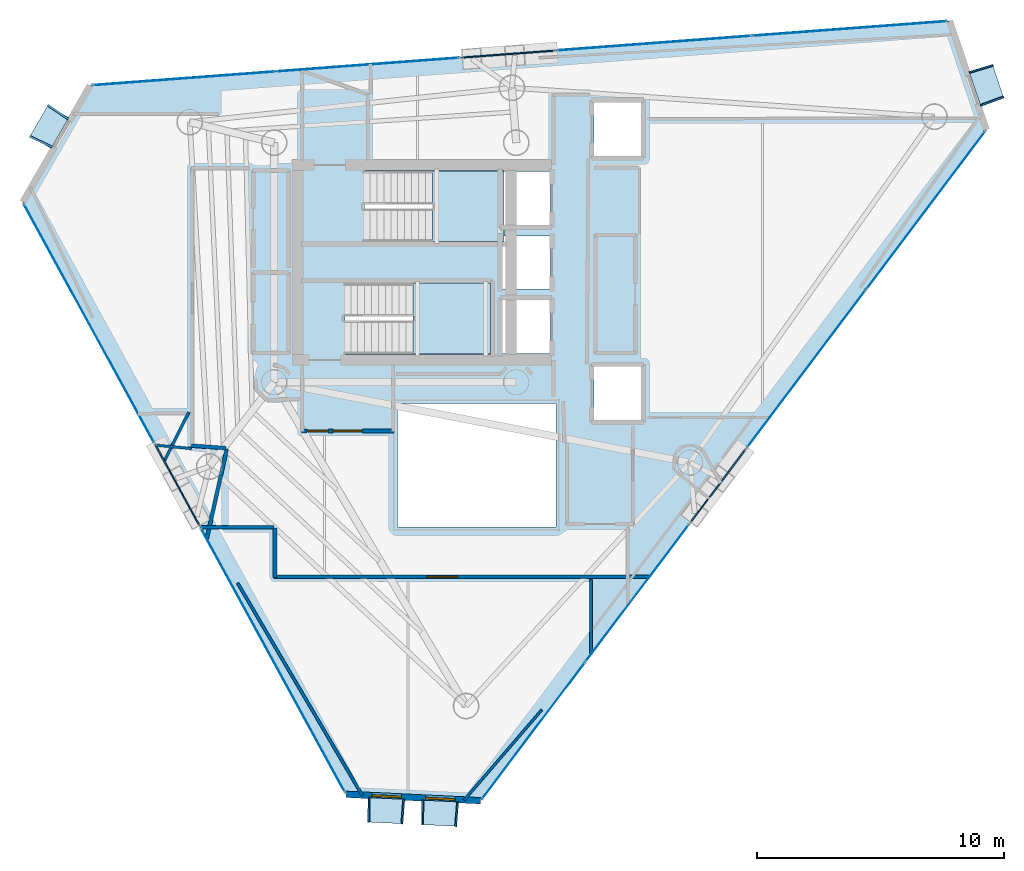
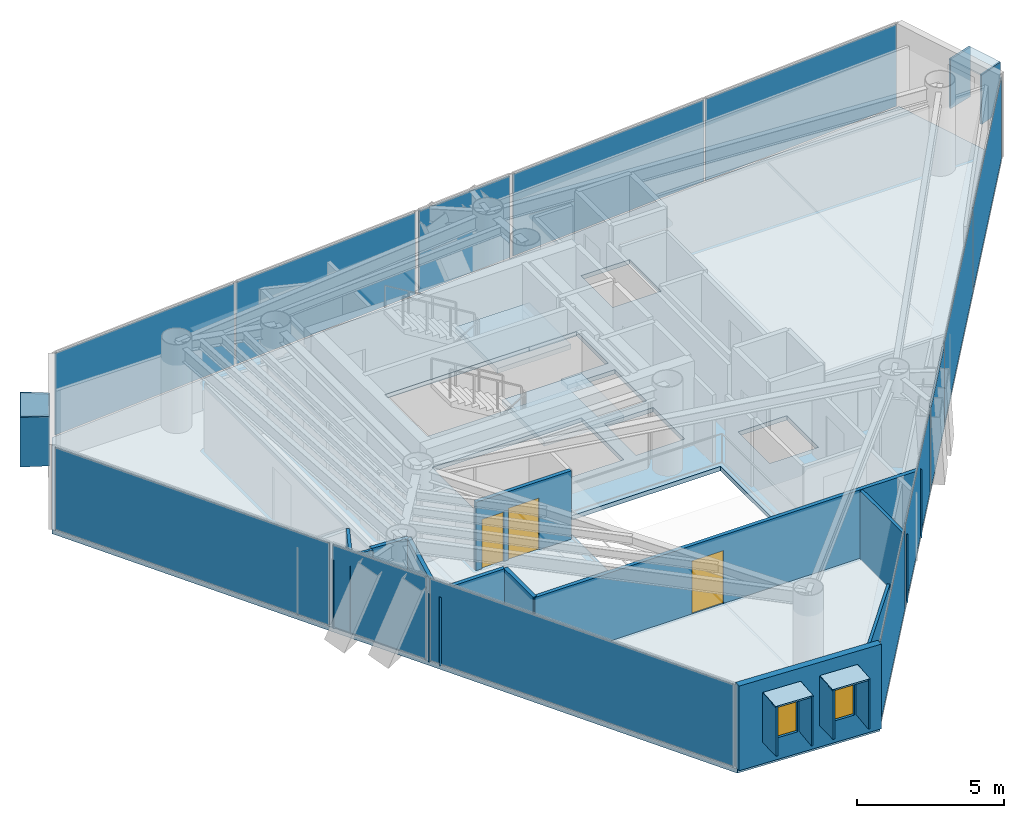
# One storey, part 13 of 19: 25 plates, 12 walls, 3 doors, 3 slabs, 2 windows, 5 openings, 11 elements without a shape of their own.
"""IFC4 building model written with IfcOpenShell, lengths in metres."""

from ifc_helpers import new_model, si_unit, direction, frame, frame_2d, origin, origin_2d, place, context, subcontext, project, spatial, polyline, rectangle, outline, extrude, material, layer, layer_set, type_object, element, fill, aggregate, save


model = new_model("IFC4")

# Units and contexts
model_context = context("Model", 3, precision=1e-05, world=origin(), true_north=direction((0.0, 1.0)))
body_context = subcontext(model_context, "Body", "Model", "MODEL_VIEW")
ifc_project = project(units=[si_unit("LENGTHUNIT", "METRE"), si_unit("AREAUNIT", "SQUARE_METRE"), si_unit("VOLUMEUNIT", "CUBIC_METRE"), si_unit("PLANEANGLEUNIT", "RADIAN"), si_unit("MASSUNIT", "GRAM", prefix="KILO")], contexts=[model_context])

# Site, building, storey
site_placement = place(None, origin())
site = spatial("IfcSite", under=ifc_project, at=site_placement, CompositionType="ELEMENT")
building_placement = place(site_placement, origin())
building = spatial("IfcBuilding", under=site, at=building_placement, Name="Qianvela Tower", CompositionType="ELEMENT")
storey_placement = place(building_placement, frame((0.0, 0.0, 268.60009765625)))
storey = spatial("IfcBuildingStorey", under=building, at=storey_placement, Name="L69", CompositionType="ELEMENT", Elevation=268.60009765625)

# Curtain wall, plate
ifc_material_1 = material(Name="Anodised Architectural Aluminium and Insulated Spandrel Panel", Category="aluminium")
ifc_layer_1 = layer(ifc_material_1, 0.179931640625)
ifc_layer_set_1 = layer_set([ifc_layer_1], Name="Anodised Architectural Aluminium and Insulated Spandrel Panel")
curtain_wall_type_1 = type_object("IfcCurtainWallType", Name="CW-BRACEBAY", PredefinedType="USERDEFINED", material=ifc_layer_set_1)
curtain_wall_1_placement = place(storey_placement, origin())
curtain_wall_1 = element("IfcCurtainWall", 1, at=curtain_wall_1_placement, inside=storey, type_object=curtain_wall_type_1, Name="L69 CW-BRACEBAY Curtain Wall 02B", ObjectType="CURTAIN_WALL_SYSTEM", PredefinedType="USERDEFINED")
ifc_material_2 = material(Name="Insulated Aluminium Spandrel Panel with Mineral-Wool Backpan", Category="aluminium")
ifc_layer_2 = layer(ifc_material_2, 0.06005859375)
ifc_layer_set_2 = layer_set([ifc_layer_2], Name="Insulated Aluminium Spandrel Panel with Mineral-Wool Backpan")
plate_type_1 = type_object("IfcPlateType", Name="CW-BRACEBAY-PNL", PredefinedType="CURTAIN_PANEL", material=ifc_layer_set_2)
plate_1_placement = place(storey_placement, frame((38.07080078125, 37.135498046875, 0.06494140625), z_axis=(0.0, 0.0, 1.0), x_axis=(-0.997200895477, -0.074768804061, 0.0)))
plate_1 = element("IfcPlate", 2, at=plate_1_placement, type_object=plate_type_1, Name="CW-9 panel 1.1", PredefinedType="CURTAIN_PANEL", context=body_context, shape_type="SweptSolid", body=[
    extrude(rectangle(XDim=3.75, YDim=0.06005859375, at=origin_2d()), origin(), (0.0, 0.0, 1.0), 3.389892578125),
])
aggregate(curtain_wall_1, [plate_1])

curtain_wall_2_placement = place(storey_placement, origin())
curtain_wall_2 = element("IfcCurtainWall", 3, at=curtain_wall_2_placement, inside=storey, type_object=curtain_wall_type_1, Name="L69 CW-BRACEBAY Curtain Wall 04B", ObjectType="CURTAIN_WALL_SYSTEM", PredefinedType="USERDEFINED")
plate_2_placement = place(storey_placement, frame((24.683349609375, 19.678955078125, 0.06494140625), z_axis=(0.0, 0.0, 1.0), x_axis=(0.479302865469, -0.877649567398, 0.0)))
plate_2 = element("IfcPlate", 4, at=plate_2_placement, type_object=plate_type_1, Name="CW-9 panel 1.1", PredefinedType="CURTAIN_PANEL", context=body_context, shape_type="SweptSolid", body=[
    extrude(rectangle(XDim=3.739990234375, YDim=0.06005859375, at=origin_2d()), origin(), (0.0, 0.0, 1.0), 3.389892578125),
])
aggregate(curtain_wall_2, [plate_2])

curtain_wall_3_placement = place(storey_placement, origin())
curtain_wall_3 = element("IfcCurtainWall", 5, at=curtain_wall_3_placement, inside=storey, type_object=curtain_wall_type_1, Name="L69 CW-BRACEBAY Curtain Wall 06B", ObjectType="CURTAIN_WALL_SYSTEM", PredefinedType="USERDEFINED")
plate_3_placement = place(storey_placement, frame((46.56982421875, 19.6552734375, 0.06494140625), z_axis=(0.0, 0.0, 1.0), x_axis=(0.6019074344, 0.798565864794, 0.0)))
plate_3 = element("IfcPlate", 6, at=plate_3_placement, type_object=plate_type_1, Name="CW-9 panel 1.1", PredefinedType="CURTAIN_PANEL", context=body_context, shape_type="SweptSolid", body=[
    extrude(rectangle(XDim=3.699951171875, YDim=0.06005859375, at=origin_2d()), origin(), (0.0, 0.0, 1.0), 3.389892578125),
])
aggregate(curtain_wall_3, [plate_3])

# Curtain wall, plates
ifc_material_3 = material(Name="Anodised Architectural Aluminium and Low-E Glass", Category="aluminium")
ifc_layer_3 = layer(ifc_material_3, 0.159912109375)
ifc_layer_set_3 = layer_set([ifc_layer_3], Name="Anodised Architectural Aluminium and Low-E Glass")
curtain_wall_type_2 = type_object("IfcCurtainWallType", Name="CW-COLIV-Z56", PredefinedType="USERDEFINED", material=ifc_layer_set_3)
curtain_wall_4_placement = place(storey_placement, origin())
curtain_wall_4 = element("IfcCurtainWall", 7, at=curtain_wall_4_placement, inside=storey, type_object=curtain_wall_type_2, Name="L69 CW-COLIV-Z56 Curtain Wall 02A", ObjectType="CURTAIN_WALL_SYSTEM", PredefinedType="USERDEFINED")
ifc_material_4 = material(Name="Double-Silver Low-E Insulated Glass", Category="glass")
ifc_layer_4 = layer(ifc_material_4, 0.028076171875)
ifc_layer_set_4 = layer_set([ifc_layer_4], Name="Double-Silver Low-E Insulated Glass")
plate_type_2 = type_object("IfcPlateType", Name="CW-COLIV-Z56-PNL", PredefinedType="CURTAIN_PANEL", material=ifc_layer_set_4)
plate_4_placement = place(storey_placement, frame((51.91064453125, 38.173095703125, 0.06005859375), z_axis=(0.0, 0.0, 1.0), x_axis=(-0.997201906035, -0.074755324891, 0.0)))
plate_4 = element("IfcPlate", 8, at=plate_4_placement, type_object=plate_type_2, Name="CW-5 panel 1.1", PredefinedType="CURTAIN_PANEL", context=body_context, shape_type="SweptSolid", body=[
    extrude(rectangle(XDim=7.87255859375, YDim=0.028076171875, at=origin_2d()), origin(), (0.0, 0.0, 1.0), 3.39990234375),
])
plate_5_placement = place(storey_placement, frame((43.995361328125, 37.579833984375, 0.06005859375), z_axis=(0.0, 0.0, 1.0), x_axis=(-0.997201906035, -0.074755324891, 0.0)))
plate_5 = element("IfcPlate", 9, at=plate_5_placement, type_object=plate_type_2, Name="CW-5 panel 2.1", PredefinedType="CURTAIN_PANEL", context=body_context, shape_type="SweptSolid", body=[
    extrude(rectangle(XDim=7.87255859375, YDim=0.028076171875, at=origin_2d()), origin(), (0.0, 0.0, 1.0), 3.39990234375),
])
aggregate(curtain_wall_4, [plate_4, plate_5])

curtain_wall_5_placement = place(storey_placement, origin())
curtain_wall_5 = element("IfcCurtainWall", 10, at=curtain_wall_5_placement, inside=storey, type_object=curtain_wall_type_2, Name="L69 CW-COLIV-Z56 Curtain Wall 02C", ObjectType="CURTAIN_WALL_SYSTEM", PredefinedType="USERDEFINED")
plate_6_placement = place(storey_placement, frame((32.384521484375, 36.709228515625, 0.06005859375), z_axis=(0.0, 0.0, 1.0), x_axis=(-0.997202046772, -0.074753447507, 0.0)))
plate_6 = element("IfcPlate", 11, at=plate_6_placement, type_object=plate_type_2, Name="CW-5 panel 1.1", PredefinedType="CURTAIN_PANEL", context=body_context, shape_type="SweptSolid", body=[
    extrude(rectangle(XDim=7.39453125, YDim=0.028076171875, at=origin_2d()), origin(), (0.0, 0.0, 1.0), 3.39990234375),
])
plate_7_placement = place(storey_placement, frame((24.94580078125, 36.151611328125, 0.06005859375), z_axis=(0.0, 0.0, 1.0), x_axis=(-0.997202046772, -0.074753447507, 0.0)))
plate_7 = element("IfcPlate", 12, at=plate_7_placement, type_object=plate_type_2, Name="CW-5 panel 2.1", PredefinedType="CURTAIN_PANEL", context=body_context, shape_type="SweptSolid", body=[
    extrude(rectangle(XDim=7.39453125, YDim=0.028076171875, at=origin_2d()), origin(), (0.0, 0.0, 1.0), 3.39990234375),
])
aggregate(curtain_wall_5, [plate_6, plate_7])

# Curtain wall, plate
curtain_wall_6_placement = place(storey_placement, origin())
curtain_wall_6 = element("IfcCurtainWall", 13, at=curtain_wall_6_placement, inside=storey, type_object=curtain_wall_type_2, Name="L69 CW-COLIV-Z56 Curtain Wall 04A", ObjectType="CURTAIN_WALL_SYSTEM", PredefinedType="USERDEFINED")
plate_8_placement = place(storey_placement, frame((21.1005859375, 26.2392578125, 0.06005859375), z_axis=(0.0, 0.0, 1.0), x_axis=(0.479306723241, -0.877647460577, 0.0)))
plate_8 = element("IfcPlate", 14, at=plate_8_placement, type_object=plate_type_2, Name="CW-5 panel 1.1", PredefinedType="CURTAIN_PANEL", context=body_context, shape_type="SweptSolid", body=[
    extrude(rectangle(XDim=10.949951171875, YDim=0.028076171875, at=origin_2d()), origin(), (0.0, 0.0, 1.0), 3.39990234375),
])
aggregate(curtain_wall_6, [plate_8])

curtain_wall_7_placement = place(storey_placement, origin())
curtain_wall_7 = element("IfcCurtainWall", 15, at=curtain_wall_7_placement, inside=storey, type_object=curtain_wall_type_2, Name="L69 CW-COLIV-Z56 Curtain Wall 04C", ObjectType="CURTAIN_WALL_SYSTEM", PredefinedType="USERDEFINED")
plate_9_placement = place(storey_placement, frame((28.551513671875, 12.595947265625, 0.06005859375), z_axis=(0.0, 0.0, 1.0), x_axis=(0.479303143427, -0.877649415599, 0.0)))
plate_9 = element("IfcPlate", 16, at=plate_9_placement, type_object=plate_type_2, Name="CW-5 panel 1.1", PredefinedType="CURTAIN_PANEL", context=body_context, shape_type="SweptSolid", body=[
    extrude(rectangle(XDim=12.140625, YDim=0.028076171875, at=origin_2d()), origin(), (0.0, 0.0, 1.0), 3.39990234375),
])
aggregate(curtain_wall_7, [plate_9])

# Curtain wall, plates
curtain_wall_8_placement = place(storey_placement, origin())
curtain_wall_8 = element("IfcCurtainWall", 17, at=curtain_wall_8_placement, inside=storey, type_object=curtain_wall_type_2, Name="L69 CW-COLIV-Z56 Curtain Wall 06A", ObjectType="CURTAIN_WALL_SYSTEM", PredefinedType="USERDEFINED")
plate_10_placement = place(storey_placement, frame((39.10693359375, 9.754150390625, 0.06005859375), z_axis=(0.0, 0.0, 1.0), x_axis=(0.601912562506, 0.798561999533, 0.0)))
plate_10 = element("IfcPlate", 18, at=plate_10_placement, type_object=plate_type_2, Name="CW-5 panel 1.1", PredefinedType="CURTAIN_PANEL", context=body_context, shape_type="SweptSolid", body=[
    extrude(rectangle(XDim=6.902587890625, YDim=0.028076171875, at=origin_2d()), origin(), (0.0, 0.0, 1.0), 3.39990234375),
])
plate_11_placement = place(storey_placement, frame((43.30078125, 15.318115234375, 0.06005859375), z_axis=(0.0, 0.0, 1.0), x_axis=(0.601912562506, 0.798561999533, 0.0)))
plate_11 = element("IfcPlate", 19, at=plate_11_placement, type_object=plate_type_2, Name="CW-5 panel 2.1", PredefinedType="CURTAIN_PANEL", context=body_context, shape_type="SweptSolid", body=[
    extrude(rectangle(XDim=6.902587890625, YDim=0.028076171875, at=origin_2d()), origin(), (0.0, 0.0, 1.0), 3.39990234375),
])
aggregate(curtain_wall_8, [plate_10, plate_11])

curtain_wall_9_placement = place(storey_placement, origin())
curtain_wall_9 = element("IfcCurtainWall", 20, at=curtain_wall_9_placement, inside=storey, type_object=curtain_wall_type_2, Name="L69 CW-COLIV-Z56 Curtain Wall 06C", ObjectType="CURTAIN_WALL_SYSTEM", PredefinedType="USERDEFINED")
plate_12_placement = place(storey_placement, frame((50.15283203125, 24.408935546875, 0.06005859375), z_axis=(0.0, 0.0, 1.0), x_axis=(0.601911031996, 0.798563153146, 0.0)))
plate_12 = element("IfcPlate", 21, at=plate_12_placement, type_object=plate_type_2, Name="CW-5 panel 1.1", PredefinedType="CURTAIN_PANEL", context=body_context, shape_type="SweptSolid", body=[
    extrude(rectangle(XDim=7.9453125, YDim=0.028076171875, at=origin_2d()), origin(), (0.0, 0.0, 1.0), 3.39990234375),
])
plate_13_placement = place(storey_placement, frame((54.974365234375, 30.8056640625, 0.06005859375), z_axis=(0.0, 0.0, 1.0), x_axis=(0.601911031996, 0.798563153146, 0.0)))
plate_13 = element("IfcPlate", 22, at=plate_13_placement, type_object=plate_type_2, Name="CW-5 panel 2.1", PredefinedType="CURTAIN_PANEL", context=body_context, shape_type="SweptSolid", body=[
    extrude(rectangle(XDim=7.9453125, YDim=0.028076171875, at=origin_2d()), origin(), (0.0, 0.0, 1.0), 3.39990234375),
])
aggregate(curtain_wall_9, [plate_12, plate_13])

# Slab
ifc_material_5 = material(Name="Concrete C40", Category="concrete")
ifc_layer_5 = layer(ifc_material_5, 0.179931640625)
ifc_layer_set_5 = layer_set([ifc_layer_5], Name="Concrete C40")
slab_type_1 = type_object("IfcSlabType", Name="SL-FLOOR-180", PredefinedType="FLOOR", material=ifc_layer_set_5)
slab_1_placement = place(storey_placement, frame((0.0, 0.0, -0.18017578125)))
element("IfcSlab", 23, at=slab_1_placement, inside=storey, type_object=slab_type_1, Name="L69 Composite Structural Floor Slab", PredefinedType="FLOOR", context=body_context, shape_type="SweptSolid", body=[
    extrude(outline(polyline([(57.434814453125, 34.070068359375), (55.95068359375, 38.475830078125), (21.144287109375, 35.86669921875), (18.42138671875, 31.1455078125), (31.516357421875, 7.16748046875), (36.960205078125, 6.90625), (57.434814453125, 34.070068359375)]), holes=[polyline([(40.0, 23.0), (33.60009765625, 23.0), (33.60009765625, 18.0), (40.0, 18.0), (40.0, 23.0)]), polyline([(43.4599609375, 24.47998046875), (41.5400390625, 24.47998046875), (41.5400390625, 22.320068359375), (43.4599609375, 22.320068359375), (43.4599609375, 24.47998046875)]), polyline([(39.760009765625, 27.179931640625), (37.840087890625, 27.179931640625), (37.840087890625, 25.02001953125), (39.760009765625, 25.02001953125), (39.760009765625, 27.179931640625)]), polyline([(37.35009765625, 27.860107421875), (31.469970703125, 27.860107421875), (31.469970703125, 25.0), (37.35009765625, 25.0), (37.35009765625, 27.860107421875)]), polyline([(39.760009765625, 27.6201171875), (39.760009765625, 29.780029296875), (37.89990234375, 29.780029296875), (37.89990234375, 30.219970703125), (39.760009765625, 30.219970703125), (39.760009765625, 32.3798828125), (37.89990234375, 32.3798828125), (37.89990234375, 32.39990234375), (32.25, 32.39990234375), (32.25, 29.5400390625), (37.840087890625, 29.5400390625), (37.840087890625, 27.6201171875), (39.760009765625, 27.6201171875)]), polyline([(43.4599609375, 35.179931640625), (41.5400390625, 35.179931640625), (41.5400390625, 33.02001953125), (43.4599609375, 33.02001953125), (43.4599609375, 35.179931640625)])]), origin(), (0.0, 0.0, 1.0), 0.18017578125),
])

# Stair, slab
ifc_material_6 = material(Name="Concrete C40", Category="concrete")
stair_type = type_object("IfcStairType", Name="ST-DOGLEG-1350-R168-N22", PredefinedType="HALF_TURN_STAIR", material=ifc_material_6)
stair_1_placement = place(storey_placement, origin())
stair_1 = element("IfcStair", 24, at=stair_1_placement, inside=storey, type_object=stair_type, Name="L69 Smoke-Proof Core Stair ST-1", PredefinedType="HALF_TURN_STAIR")
ifc_material_7 = material(Name="Concrete C40", Category="concrete")
ifc_layer_6 = layer(ifc_material_7, 0.199951171875)
ifc_layer_set_6 = layer_set([ifc_layer_6], Name="Concrete C40")
slab_type_2 = type_object("IfcSlabType", Name="SL-STAIR-LANDING-200", PredefinedType="LANDING", material=ifc_layer_set_6)
slab_2_placement = place(storey_placement, frame((0.0, 0.0, 1.64990234375)))
slab_2 = element("IfcSlab", 25, at=slab_2_placement, type_object=slab_type_2, Name="ST-1 landing 1", PredefinedType="LANDING", context=body_context, shape_type="SweptSolid", body=[
    extrude(outline(polyline([(35.0, 29.5400390625), (37.89990234375, 29.5400390625), (37.89990234375, 32.39990234375), (35.0, 32.39990234375), (35.0, 29.5400390625)])), origin(), (0.0, 0.0, 1.0), 0.199951171875),
])
aggregate(stair_1, [slab_2])

stair_2_placement = place(storey_placement, origin())
stair_2 = element("IfcStair", 26, at=stair_2_placement, inside=storey, type_object=stair_type, Name="L69 Smoke-Proof Core Stair ST-2", PredefinedType="HALF_TURN_STAIR")
slab_3_placement = place(storey_placement, frame((0.0, 0.0, 1.64990234375)))
slab_3 = element("IfcSlab", 27, at=slab_3_placement, type_object=slab_type_2, Name="ST-2 landing 1", PredefinedType="LANDING", context=body_context, shape_type="SweptSolid", body=[
    extrude(outline(polyline([(34.219970703125, 25.0), (37.35009765625, 25.0), (37.35009765625, 27.860107421875), (34.219970703125, 27.860107421875), (34.219970703125, 25.0)])), origin(), (0.0, 0.0, 1.0), 0.199951171875),
])
aggregate(stair_2, [slab_3])

# Plates
ifc_material_8 = material(Name="Vitrified Architectural Terracotta Panel", Category="masonry")
ifc_layer_7 = layer(ifc_material_8, 0.06494140625)
ifc_layer_set_7 = layer_set([ifc_layer_7], Name="Vitrified Architectural Terracotta Panel")
plate_type_3 = type_object("IfcPlateType", Name="TERRACOTTA-SUNSHADE-HOOD-FOLD-B", PredefinedType="USERDEFINED", material=ifc_layer_set_7)
for number, where, z_axis, x_axis, name in (
    (28, (57.44189453125, 35.8818359375, 2.909912109375), (0.0, 0.0, 1.0), (-0.319238849799, 0.947674288339, 0.0), "L69 Terracotta Sunshade Hood FOLD-B"),
    (29, (33.12158203125, 6.504638671875, 2.909912109375), (0.0, 0.0, 1.0), (0.99885181717, -0.047906652307, 0.0), "L69 Terracotta Sunshade Hood FOLD-B"),
    (30, (35.299072265625, 6.400390625, 2.909912109375), (0.0, 0.0, 1.0), (0.99885181717, -0.047906652307, 0.0), "L69 Terracotta Sunshade Hood FOLD-B"),
):
    element("IfcPlate", number, at=place(storey_placement, frame(where, z_axis=z_axis, x_axis=x_axis)), inside=storey, type_object=plate_type_3, Name=name, ObjectType="SUNSHADE", PredefinedType="USERDEFINED", context=body_context, shape_type="SweptSolid", body=[
        extrude(rectangle(XDim=1.43994140625, YDim=0.989990234375, at=origin_2d()), origin(), (0.0, 0.0, 1.0), 0.06005859375),
    ])
ifc_material_9 = material(Name="Vitrified Architectural Terracotta Panel", Category="masonry")
ifc_layer_8 = layer(ifc_material_9, 0.074951171875)
ifc_layer_set_8 = layer_set([ifc_layer_8], Name="Vitrified Architectural Terracotta Panel")
plate_type_4 = type_object("IfcPlateType", Name="TERRACOTTA-SUNSHADE-HOOD-FOLD-D", PredefinedType="USERDEFINED", material=ifc_layer_set_8)
plate_14_placement = place(storey_placement, frame((19.5009765625, 34.188232421875, 2.909912109375), z_axis=(0.0, 0.0, 1.0), x_axis=(-0.499608470565, -0.866251335433, 0.0)))
element("IfcPlate", 31, at=plate_14_placement, inside=storey, type_object=plate_type_4, Name="L69 Terracotta Sunshade Hood FOLD-D", ObjectType="SUNSHADE", PredefinedType="USERDEFINED", context=body_context, shape_type="SweptSolid", body=[
    extrude(rectangle(XDim=1.43994140625, YDim=0.989990234375, at=origin_2d()), origin(), (0.0, 0.0, 1.0), 0.06005859375),
])
ifc_material_10 = material(Name="Vitrified Architectural Terracotta Side Fin Panel", Category="masonry")
ifc_layer_9 = layer(ifc_material_10, 0.070068359375)
ifc_layer_set_9 = layer_set([ifc_layer_9], Name="Vitrified Architectural Terracotta Side Fin Panel")
plate_type_5 = type_object("IfcPlateType", Name="TERRACOTTA-SUNSHADE-STRUT-FOLD-B", PredefinedType="USERDEFINED", material=ifc_layer_set_9)
for number, where, z_axis, x_axis, name in (
    (32, (57.662109375, 35.227783203125, 0.89990234375), (0.0, 0.0, 1.0), (-0.348030517647, 0.937483204535, 0.0), "L69 Terracotta Sunshade Side Fin HL FOLD-B"),
    (33, (57.221435546875, 36.53564453125, 0.89990234375), (0.0, 0.0, 1.0), (-0.290149390101, 0.956981364199, 0.0), "L69 Terracotta Sunshade Side Fin HR FOLD-B"),
    (34, (32.432373046875, 6.537841796875, 0.89990234375), (0.0, 0.0, 1.0), (0.999848941464, -0.017380858792, 0.0), "L69 Terracotta Sunshade Side Fin HL FOLD-B"),
    (35, (33.810791015625, 6.4716796875, 0.89990234375), (0.0, 0.0, 1.0), (0.996922945596, -0.078387757619, 0.0), "L69 Terracotta Sunshade Side Fin HR FOLD-B"),
    (36, (34.60986328125, 6.433349609375, 0.89990234375), (0.0, 0.0, 1.0), (0.999848941464, -0.017380858792, 0.0), "L69 Terracotta Sunshade Side Fin HL FOLD-B"),
    (37, (35.98828125, 6.3671875, 0.89990234375), (0.0, 0.0, 1.0), (0.996922945596, -0.078387757619, 0.0), "L69 Terracotta Sunshade Side Fin HR FOLD-B"),
):
    element("IfcPlate", number, at=place(storey_placement, frame(where, z_axis=z_axis, x_axis=x_axis)), inside=storey, type_object=plate_type_5, Name=name, ObjectType="SUNSHADE", PredefinedType="USERDEFINED", context=body_context, shape_type="SweptSolid", body=[
        extrude(rectangle(XDim=0.070068359375, YDim=1.010009765625, at=origin_2d()), origin(), (0.0, 0.0, 1.0), 2.06005859375),
    ])
ifc_material_11 = material(Name="Vitrified Architectural Terracotta Side Fin Panel", Category="masonry")
ifc_layer_10 = layer(ifc_material_11, 0.080078125)
ifc_layer_set_10 = layer_set([ifc_layer_10], Name="Vitrified Architectural Terracotta Side Fin Panel")
plate_type_6 = type_object("IfcPlateType", Name="TERRACOTTA-SUNSHADE-STRUT-FOLD-D", PredefinedType="USERDEFINED", material=ifc_layer_set_10)
for number, where, z_axis, x_axis, name in (
    (38, (19.845703125, 34.785888671875, 0.89990234375), (0.0, 0.0, 1.0), (-0.562431218347, -0.826844075161, 0.0), "L69 Terracotta Sunshade Side Fin HL FOLD-D"),
    (39, (19.15625, 33.590576171875, 0.89990234375), (0.0, 0.0, 1.0), (-0.43403806115, -0.900894534046, 0.0), "L69 Terracotta Sunshade Side Fin HR FOLD-D"),
):
    element("IfcPlate", number, at=place(storey_placement, frame(where, z_axis=z_axis, x_axis=x_axis)), inside=storey, type_object=plate_type_6, Name=name, ObjectType="SUNSHADE", PredefinedType="USERDEFINED", context=body_context, shape_type="SweptSolid", body=[
        extrude(rectangle(XDim=0.080078125, YDim=1.010009765625, at=origin_2d()), origin(), (0.0, 0.0, 1.0), 2.06005859375),
    ])

# Wall, openings, windows
ifc_material_12 = material(Name="Terracotta Cladding on Concrete C40", Category="masonry")
ifc_layer_11 = layer(ifc_material_12, 0.260009765625)
ifc_layer_set_11 = layer_set([ifc_layer_11], Name="Terracotta Cladding on Concrete C40")
wall_type_1 = type_object("IfcWallType", Name="TERRACOTTA-WALL-260", PredefinedType="SOLIDWALL", material=ifc_layer_set_11)
wall_1_placement = place(storey_placement, frame((31.516357421875, 7.16748046875, 0.0), z_axis=(0.0, 0.0, 1.0), x_axis=(0.998850638903, -0.047931212827, 0.0)))
wall_1 = element("IfcWall", 40, at=wall_1_placement, inside=storey, type_object=wall_type_1, Name="L69 Terracotta Chamfer Facet Wall 5", PredefinedType="SOLIDWALL", context=body_context, shape_type="SweptSolid", body=[
    extrude(rectangle(XDim=5.4501953125, YDim=0.260009765625, at=frame_2d((2.72509765625, 0.0))), origin(), (0.0, 0.0, 1.0), 3.52001953125),
])
opening_1_placement = place(wall_1_placement, frame((1.03515625, 0.0, 0.89990234375)))
opening_1 = element("IfcOpeningElement", 41, at=opening_1_placement, cuts=wall_1, Name="Opening W-03", PredefinedType="OPENING", context=body_context, shape_type="SweptSolid", body=[
    extrude(rectangle(XDim=1.199951171875, YDim=2.0, at=frame_2d((0.60009765625, 1.0))), frame((0.0, 0.139892578125, 0.0), z_axis=(0.0, -1.0, 0.0), x_axis=(1.0, 0.0, 0.0)), (0.0, 0.0, 1.0), 0.280029296875),
])
opening_2_placement = place(wall_1_placement, frame((3.215087890625, 0.0, 0.89990234375)))
opening_2 = element("IfcOpeningElement", 42, at=opening_2_placement, cuts=wall_1, Name="Opening W-03", PredefinedType="OPENING", context=body_context, shape_type="SweptSolid", body=[
    extrude(rectangle(XDim=1.199951171875, YDim=2.0, at=frame_2d((0.60009765625, 1.0))), frame((0.0, 0.139892578125, 0.0), z_axis=(0.0, -1.0, 0.0), x_axis=(1.0, 0.0, 0.0)), (0.0, 0.0, 1.0), 0.280029296875),
])
ifc_material_13 = material(Name="Thermally Broken Aluminium and Low-E Glass", Category="aluminium")
window_type = type_object("IfcWindowType", Name="WIN-TC-1200x2000", PartitioningType="SINGLE_PANEL", PredefinedType="WINDOW", material=ifc_material_13)
window_1_placement = place(opening_1_placement, origin())
window_1 = element("IfcWindow", 43, at=window_1_placement, inside=storey, type_object=window_type, Name="L69 Chamfer Facet Window 5.1", OverallHeight=2.0, OverallWidth=1.199951171875, PartitioningType="SINGLE_PANEL", PredefinedType="WINDOW", context=body_context, shape_type="SweptSolid", body=[
    extrude(rectangle(XDim=1.199951171875, YDim=2.0, at=frame_2d((0.60009765625, 1.0))), frame((0.0, 0.030029296875, 0.0), z_axis=(0.0, -1.0, 0.0), x_axis=(1.0, 0.0, 0.0)), (0.0, 0.0, 1.0), 0.06005859375),
])
fill(opening_1, window_1)
window_2_placement = place(opening_2_placement, origin())
window_2 = element("IfcWindow", 44, at=window_2_placement, inside=storey, type_object=window_type, Name="L69 Chamfer Facet Window 5.2", OverallHeight=2.0, OverallWidth=1.199951171875, PartitioningType="SINGLE_PANEL", PredefinedType="WINDOW", context=body_context, shape_type="SweptSolid", body=[
    extrude(rectangle(XDim=1.199951171875, YDim=2.0, at=frame_2d((0.60009765625, 1.0))), frame((0.0, 0.030029296875, 0.0), z_axis=(0.0, -1.0, 0.0), x_axis=(1.0, 0.0, 0.0)), (0.0, 0.0, 1.0), 0.06005859375),
])
fill(opening_2, window_2)

# Wall, openings, doors
ifc_material_14 = material(Name="Fire-Rated Acoustic Gypsum Board")
ifc_layer_12 = layer(ifc_material_14, 0.14990234375)
ifc_layer_set_12 = layer_set([ifc_layer_12], Name="Fire-Rated Acoustic Gypsum Board")
wall_type_2 = type_object("IfcWallType", Name="WT-CORR-150", PredefinedType="PARTITIONING", material=ifc_layer_set_12)
wall_2_placement = place(storey_placement, frame((33.449951171875, 21.881103515625, 0.0), z_axis=(0.0, 0.0, 1.0), x_axis=(-1.0, 0.0, 0.0)))
wall_2 = element("IfcWall", 45, at=wall_2_placement, inside=storey, type_object=wall_type_2, Name="L69 Partition 5", PredefinedType="PARTITIONING", context=body_context, shape_type="SweptSolid", body=[
    extrude(rectangle(XDim=3.75, YDim=0.14990234375, at=frame_2d((1.875, 0.0))), origin(), (0.0, 0.0, 1.0), 2.83984375),
])
opening_3_placement = place(wall_2_placement, frame((1.27490234375, 0.0, 0.0)))
opening_3 = element("IfcOpeningElement", 46, at=opening_3_placement, cuts=wall_2, Name="Opening D-LB1", PredefinedType="OPENING", context=body_context, shape_type="SweptSolid", body=[
    extrude(rectangle(XDim=1.199951171875, YDim=2.14990234375, at=frame_2d((0.60009765625, 1.074951171875))), frame((0.0, 0.0849609375, 0.0), z_axis=(0.0, -1.0, 0.0), x_axis=(1.0, 0.0, 0.0)), (0.0, 0.0, 1.0), 0.169921875),
])
opening_4_placement = place(wall_2_placement, frame((2.659912109375, 0.0, 0.0)))
opening_4 = element("IfcOpeningElement", 47, at=opening_4_placement, cuts=wall_2, Name="Opening D-LB2", PredefinedType="OPENING", context=body_context, shape_type="SweptSolid", body=[
    extrude(rectangle(XDim=0.860107421875, YDim=2.050048828125, at=frame_2d((0.43017578125, 1.02490234375))), frame((0.0, 0.0849609375, 0.0), z_axis=(0.0, -1.0, 0.0), x_axis=(1.0, 0.0, 0.0)), (0.0, 0.0, 1.0), 0.169921875),
])
ifc_material_15 = material(Name="Glazed Fire-Rated Steel Frame", Category="steel")
door_type_1 = type_object("IfcDoorType", Name="DT-LOBBY-FD90", OperationType="NOTDEFINED", PredefinedType="DOOR", material=ifc_material_15)
door_1_placement = place(opening_3_placement, origin())
door_1 = element("IfcDoor", 48, at=door_1_placement, inside=storey, type_object=door_type_1, Name="L69 Door L69 Firefighting Lobby South to L69 Floor Corridor", OperationType="SINGLE_SWING_LEFT", OverallHeight=2.14990234375, OverallWidth=1.199951171875, PredefinedType="DOOR", context=body_context, shape_type="SweptSolid", body=[
    extrude(rectangle(XDim=1.199951171875, YDim=2.14990234375, at=frame_2d((0.60009765625, 1.074951171875))), frame((0.0, 0.02490234375, 0.0), z_axis=(0.0, -1.0, 0.0), x_axis=(1.0, 0.0, 0.0)), (0.0, 0.0, 1.0), 0.050048828125),
])
fill(opening_3, door_1)
ifc_material_16 = material(Name="Insulated Steel Fire Door Q355B", Category="steel")
door_type_2 = type_object("IfcDoorType", Name="DT-LOBBY-FD90-860", OperationType="NOTDEFINED", PredefinedType="DOOR", material=ifc_material_16)
door_2_placement = place(opening_4_placement, origin())
door_2 = element("IfcDoor", 49, at=door_2_placement, inside=storey, type_object=door_type_2, Name="L69 Door L69 Firefighting Lobby South to L69 Floor Corridor", OperationType="SINGLE_SWING_LEFT", OverallHeight=2.050048828125, OverallWidth=0.860107421875, PredefinedType="DOOR", context=body_context, shape_type="SweptSolid", body=[
    extrude(rectangle(XDim=0.860107421875, YDim=2.050048828125, at=frame_2d((0.43017578125, 1.02490234375))), frame((0.0, 0.02490234375, 0.0), z_axis=(0.0, -1.0, 0.0), x_axis=(1.0, 0.0, 0.0)), (0.0, 0.0, 1.0), 0.050048828125),
])
fill(opening_4, door_2)

# Wall, opening, door
wall_3_placement = place(storey_placement, frame((43.8203125, 15.98095703125, 0.0), z_axis=(0.0, 0.0, 1.0), x_axis=(-1.0, 0.0, 0.0)))
wall_3 = element("IfcWall", 50, at=wall_3_placement, inside=storey, type_object=wall_type_2, Name="L69 Partition 57", PredefinedType="PARTITIONING", context=body_context, shape_type="SweptSolid", body=[
    extrude(rectangle(XDim=15.22021484375, YDim=0.14990234375, at=frame_2d((7.610107421875, 0.0))), origin(), (0.0, 0.0, 1.0), 2.83984375),
])
opening_5_placement = place(wall_3_placement, frame((7.7958984375, 0.0, 0.0)))
opening_5 = element("IfcOpeningElement", 51, at=opening_5_placement, cuts=wall_3, Name="Opening D-LG1", PredefinedType="OPENING", context=body_context, shape_type="SweptSolid", body=[
    extrude(rectangle(XDim=1.25, YDim=2.199951171875, at=frame_2d((0.625, 1.10009765625))), frame((0.0, 0.0849609375, 0.0), z_axis=(0.0, -1.0, 0.0), x_axis=(1.0, 0.0, 0.0)), (0.0, 0.0, 1.0), 0.169921875),
])
ifc_material_17 = material(Name="Anodised Aluminium Acoustic Glass Door", Category="aluminium")
door_type_3 = type_object("IfcDoorType", Name="DT-LOUNGE-1250", OperationType="NOTDEFINED", PredefinedType="DOOR", material=ifc_material_17)
door_3_placement = place(opening_5_placement, origin())
door_3 = element("IfcDoor", 52, at=door_3_placement, inside=storey, type_object=door_type_3, Name="L69 Door Student Fitness Gym L69-01 to L69 Floor Corridor", OperationType="SINGLE_SWING_RIGHT", OverallHeight=2.199951171875, OverallWidth=1.25, PredefinedType="DOOR", context=body_context, shape_type="SweptSolid", body=[
    extrude(rectangle(XDim=1.25, YDim=2.199951171875, at=frame_2d((0.625, 1.10009765625))), frame((0.0, 0.02490234375, 0.0), z_axis=(0.0, -1.0, 0.0), x_axis=(1.0, 0.0, 0.0)), (0.0, 0.0, 1.0), 0.050048828125),
])
fill(opening_5, door_3)

# Walls
wall_4_placement = place(storey_placement, frame((28.631103515625, 15.949951171875, 0.0), z_axis=(0.0, 0.0, 1.0), x_axis=(0.0, 1.0, 0.0)))
element("IfcWall", 53, at=wall_4_placement, inside=storey, type_object=wall_type_2, Name="L69 Partition 58", PredefinedType="PARTITIONING", context=body_context, shape_type="SweptSolid", body=[
    extrude(rectangle(XDim=2.0, YDim=0.14990234375, at=frame_2d((1.0, 0.0))), origin(), (0.0, 0.0, 1.0), 2.83984375),
])
wall_5_placement = place(storey_placement, frame((28.60009765625, 17.98095703125, 0.0), z_axis=(0.0, 0.0, 1.0), x_axis=(-1.0, 0.0, 0.0)))
element("IfcWall", 54, at=wall_5_placement, inside=storey, type_object=wall_type_2, Name="L69 Partition 59", PredefinedType="PARTITIONING", context=body_context, shape_type="SweptSolid", body=[
    extrude(rectangle(XDim=3.00927734375, YDim=0.14990234375, at=frame_2d((1.504638671875, 0.0))), origin(), (0.0, 0.0, 1.0), 2.83984375),
])
wall_6_placement = place(storey_placement, frame((25.86962890625, 17.5068359375, 0.0), z_axis=(0.0, 0.0, 1.0), x_axis=(0.21736677809, 0.976089997789, 0.0)))
element("IfcWall", 55, at=wall_6_placement, inside=storey, type_object=wall_type_2, Name="L69 Partition 60", PredefinedType="PARTITIONING", context=body_context, shape_type="SweptSolid", body=[
    extrude(rectangle(XDim=3.732421875, YDim=0.14990234375, at=frame_2d((1.8662109375, 0.0))), origin(), (0.0, 0.0, 1.0), 2.83984375),
])
wall_7_placement = place(storey_placement, frame((26.65234375, 21.180908203125, 0.0), z_axis=(0.0, 0.0, 1.0), x_axis=(-0.997303696291, 0.073384857861, 0.0)))
element("IfcWall", 56, at=wall_7_placement, inside=storey, type_object=wall_type_2, Name="L69 Partition 61", PredefinedType="PARTITIONING", context=body_context, shape_type="SweptSolid", body=[
    extrude(rectangle(XDim=1.404052734375, YDim=0.14990234375, at=frame_2d((0.7021484375, 0.0))), origin(), (0.0, 0.0, 1.0), 2.83984375),
])
ifc_material_18 = material(Name="Lightweight Gypsum Room Partition")
ifc_layer_13 = layer(ifc_material_18, 0.10498046875)
ifc_layer_set_13 = layer_set([ifc_layer_13], Name="Lightweight Gypsum Room Partition")
wall_type_3 = type_object("IfcWallType", Name="WT-PART-105", PredefinedType="PARTITIONING", material=ifc_layer_set_13)
wall_8_placement = place(storey_placement, frame((23.775146484375, 21.307373046875, 0.0), z_axis=(0.0, 0.0, 1.0), x_axis=(0.995414788173, -0.095652493361, 0.0)))
element("IfcWall", 57, at=wall_8_placement, inside=storey, type_object=wall_type_3, Name="L69 Partition 67 seg 1", PredefinedType="PARTITIONING", context=body_context, shape_type="SweptSolid", body=[
    extrude(rectangle(XDim=1.475341796875, YDim=0.10498046875, at=frame_2d((0.73779296875, 0.0))), origin(), (0.0, 0.0, 1.0), 2.83984375),
])
wall_9_placement = place(storey_placement, frame((39.4384765625, 10.5927734375, 0.0), z_axis=(0.0, 0.0, 1.0), x_axis=(-0.652003318769, -0.75821611188, 0.0)))
element("IfcWall", 58, at=wall_9_placement, inside=storey, type_object=wall_type_3, Name="L69 Partition 73 seg 1", PredefinedType="PARTITIONING", context=body_context, shape_type="SweptSolid", body=[
    extrude(rectangle(XDim=4.8408203125, YDim=0.10498046875, at=frame_2d((2.42041015625, 0.0))), origin(), (0.0, 0.0, 1.0), 2.83984375),
])
ifc_material_19 = material(Name="Insulated Gypsum Stud Partition")
ifc_layer_14 = layer(ifc_material_19, 0.1201171875)
ifc_layer_set_14 = layer_set([ifc_layer_14], Name="Insulated Gypsum Stud Partition")
wall_type_4 = type_object("IfcWallType", Name="WT-PART-120", PredefinedType="PARTITIONING", material=ifc_layer_set_14)
wall_10_placement = place(storey_placement, frame((25.138916015625, 22.6376953125, 0.0), z_axis=(0.0, 0.0, 1.0), x_axis=(-0.445538600243, -0.895262729981, 0.0)))
element("IfcWall", 59, at=wall_10_placement, inside=storey, type_object=wall_type_4, Name="L69 Partition 66", PredefinedType="PARTITIONING", context=body_context, shape_type="SweptSolid", body=[
    extrude(rectangle(XDim=2.216552734375, YDim=0.1201171875, at=frame_2d((1.1083984375, 0.0))), origin(), (0.0, 0.0, 1.0), 2.83984375),
])
wall_11_placement = place(storey_placement, frame((41.427001953125, 15.8701171875, 0.0), z_axis=(0.0, 0.0, 1.0), x_axis=(0.0, -1.0, 0.0)))
element("IfcWall", 60, at=wall_11_placement, inside=storey, type_object=wall_type_4, Name="L69 Partition 72", PredefinedType="PARTITIONING", context=body_context, shape_type="SweptSolid", body=[
    extrude(rectangle(XDim=3.057861328125, YDim=0.1201171875, at=frame_2d((1.52880859375, 0.0))), origin(), (0.0, 0.0, 1.0), 2.83984375),
])
wall_12_placement = place(storey_placement, frame((32.17041015625, 7.118896484375, 0.0), z_axis=(0.0, 0.0, 1.0), x_axis=(-0.506410593998, 0.862292473751, 0.0)))
element("IfcWall", 61, at=wall_12_placement, inside=storey, type_object=wall_type_4, Name="L69 Partition 75 seg 1", PredefinedType="PARTITIONING", context=body_context, shape_type="SweptSolid", body=[
    extrude(rectangle(XDim=9.9794921875, YDim=0.1201171875, at=frame_2d((4.98974609375, 0.0))), origin(), (0.0, 0.0, 1.0), 2.83984375),
])

save(model, "model.ifc")
